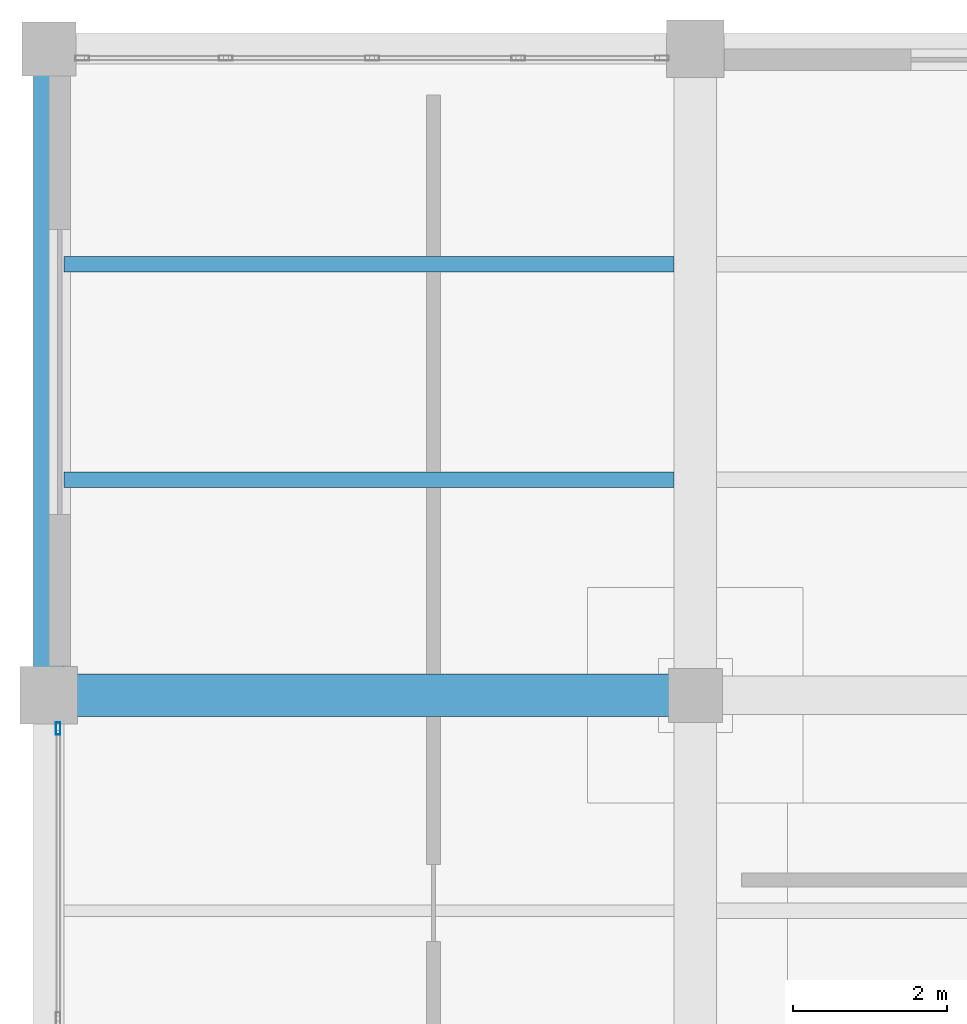
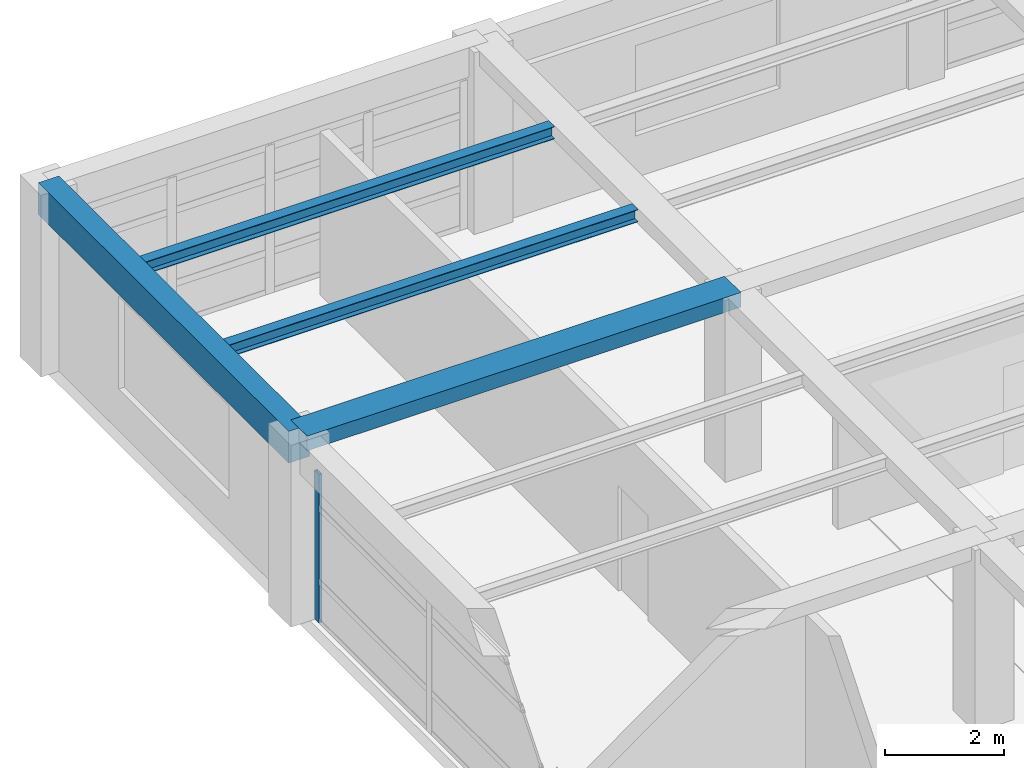
# One storey, part 10 of 31: 4 beams, 1 member, 1 element without a shape of its own.
"""IFC4 building model written with IfcOpenShell, lengths in metres."""

from ifc_helpers import new_model, si_unit, direction, frame, origin, origin_2d, place, context, subcontext, project, spatial, rectangle, hollow_rectangle, i_section, extrude, material, material_profile, profile_set, type_object, element, aggregate, save


model = new_model("IFC4")

# Units and contexts
model_context = context("Model", 3, precision=1e-05, world=origin(), true_north=direction((0.0, 1.0)))
body_context = subcontext(model_context, "Body", "Model", "MODEL_VIEW")
ifc_project = project(units=[si_unit("LENGTHUNIT", "METRE"), si_unit("AREAUNIT", "SQUARE_METRE"), si_unit("VOLUMEUNIT", "CUBIC_METRE"), si_unit("PLANEANGLEUNIT", "RADIAN"), si_unit("MASSUNIT", "GRAM", prefix="KILO")], contexts=[model_context])

# Site, building, storey
site_placement = place(None, origin())
site = spatial("IfcSite", under=ifc_project, at=site_placement, CompositionType="ELEMENT")
building_placement = place(site_placement, origin())
building = spatial("IfcBuilding", under=site, at=building_placement, Name="Almacenes y Pasaje Nevantli", CompositionType="ELEMENT")
storey_placement = place(building_placement, frame((0.0, 0.0, 34.699951171875)))
storey = spatial("IfcBuildingStorey", under=building, at=storey_placement, Name="L08", CompositionType="ELEMENT", Elevation=34.699951171875)

# Beams
ifc_material_1 = material(Name="Concrete C35/45", Category="concrete")
ifc_material_profile_1 = material_profile(ifc_material_1, rectangle(XDim=0.39990234375, YDim=0.64990234375, at=origin_2d()), Name="RC-BM-400x650")
ifc_profile_set_1 = profile_set([ifc_material_profile_1], Name="Concrete C35/45")
beam_type_1 = type_object("IfcBeamType", Name="BM-RC-400x650", PredefinedType="SPANDREL", material=ifc_profile_set_1)
beam_1_placement = place(storey_placement, frame((109.199951171875, 92.39990234375, 3.39501953125), z_axis=(0.0, 1.0, 0.0), x_axis=(-1.0, 0.0, 0.0)))
element("IfcBeam", 1, at=beam_1_placement, inside=storey, type_object=beam_type_1, Name="L08 North-South Reinforced Concrete Beam #3718", PredefinedType="SPANDREL", context=body_context, shape_type="SweptSolid", body=[
    extrude(rectangle(XDim=0.39990234375, YDim=0.64990234375, at=origin_2d()), origin(), (0.0, 0.0, 1.0), 8.400146484375),
])
ifc_material_2 = material(Name="Concrete C35/45", Category="concrete")
ifc_material_profile_2 = material_profile(ifc_material_2, rectangle(XDim=0.550048828125, YDim=0.300048828125, at=origin_2d()), Name="RC-BM-550x300")
ifc_profile_set_2 = profile_set([ifc_material_profile_2], Name="Concrete C35/45")
beam_type_2 = type_object("IfcBeamType", Name="BM-RC-550x300", PredefinedType="BEAM", material=ifc_profile_set_2)
beam_2_placement = place(storey_placement, frame((109.199951171875, 92.39990234375, 3.570068359375), z_axis=(1.0, 0.0, 0.0), x_axis=(0.0, 1.0, 0.0)))
element("IfcBeam", 2, at=beam_2_placement, inside=storey, type_object=beam_type_2, Name="L08 East-West Reinforced Concrete Beam #3703", PredefinedType="BEAM", context=body_context, shape_type="SweptSolid", body=[
    extrude(rectangle(XDim=0.550048828125, YDim=0.300048828125, at=origin_2d()), origin(), (0.0, 0.0, 1.0), 8.400146484375),
])
ifc_material_3 = material(Name="Steel ASTM A992", Category="steel")
ifc_material_profile_3 = material_profile(ifc_material_3, i_section(OverallWidth=0.202880859375, OverallDepth=0.25390625, WebThickness=0.00732421875, FlangeThickness=0.010986328125, at=origin_2d()), Name="IR 254x49.1")
ifc_profile_set_3 = profile_set([ifc_material_profile_3], Name="Steel ASTM A992")
beam_type_3 = type_object("IfcBeamType", Name="BM-STL-IR-254x49p1", PredefinedType="JOIST", material=ifc_profile_set_3)
for number, where, z_axis, x_axis, name in (
    (3, (109.39990234375, 95.199951171875, 3.5849609375), (1.0, 0.0, 0.0), (0.0, 1.0, 0.0), "L08 Secondary Steel Floor Joist #1427"),
    (4, (109.39990234375, 98.0, 3.5849609375), (1.0, 0.0, 0.0), (0.0, 1.0, 0.0), "L08 Secondary Steel Floor Joist #1428"),
):
    element("IfcBeam", number, at=place(storey_placement, frame(where, z_axis=z_axis, x_axis=x_axis)), inside=storey, type_object=beam_type_3, Name=name, PredefinedType="JOIST", context=body_context, shape_type="SweptSolid", body=[
        extrude(i_section(OverallWidth=0.202880859375, OverallDepth=0.25390625, WebThickness=0.00732421875, FlangeThickness=0.010986328125, at=origin_2d()), origin(), (0.0, 0.0, 1.0), 7.925048828125),
    ])

# Curtain wall, member
ifc_material_4 = material(Name="Thermally Broken Aluminium and Low-E Glass", Category="aluminium")
curtain_wall_type = type_object("IfcCurtainWallType", Name="CW-UNIT-TOWER", PredefinedType="USERDEFINED", material=ifc_material_4)
curtain_wall_placement = place(storey_placement, origin())
curtain_wall = element("IfcCurtainWall", 5, at=curtain_wall_placement, inside=storey, type_object=curtain_wall_type, Name="L08 Tower West Curtain Wall Bay 11", ObjectType="UNITIZED CURTAIN WALL", PredefinedType="USERDEFINED")
ifc_material_5 = material(Name="Thermally Broken Anodized Aluminium", Category="aluminium")
ifc_material_profile_4 = material_profile(ifc_material_5, hollow_rectangle(XDim=0.06005859375, YDim=0.159912109375, WallThickness=0.00390625, at=origin_2d()), Name="ALU-MUL-60x160")
ifc_profile_set_4 = profile_set([ifc_material_profile_4], Name="Thermally Broken Anodized Aluminium")
member_type = type_object("IfcMemberType", Name="CW-MUL-180", PredefinedType="MULLION", material=ifc_profile_set_4)
member_placement = place(storey_placement, frame((109.320068359375, 91.969970703125, 0.0), z_axis=(0.0, 0.0, 1.0), x_axis=(-1.0, 0.0, 0.0)))
member = element("IfcMember", 6, at=member_placement, type_object=member_type, Name="CW-L08-129 mullion 3", PredefinedType="MULLION", context=body_context, shape_type="SweptSolid", body=[
    extrude(hollow_rectangle(XDim=0.06005859375, YDim=0.159912109375, WallThickness=0.00390625, at=origin_2d()), origin(), (0.0, 0.0, 1.0), 3.0400390625),
])
aggregate(curtain_wall, [member])

save(model, "model.ifc")
